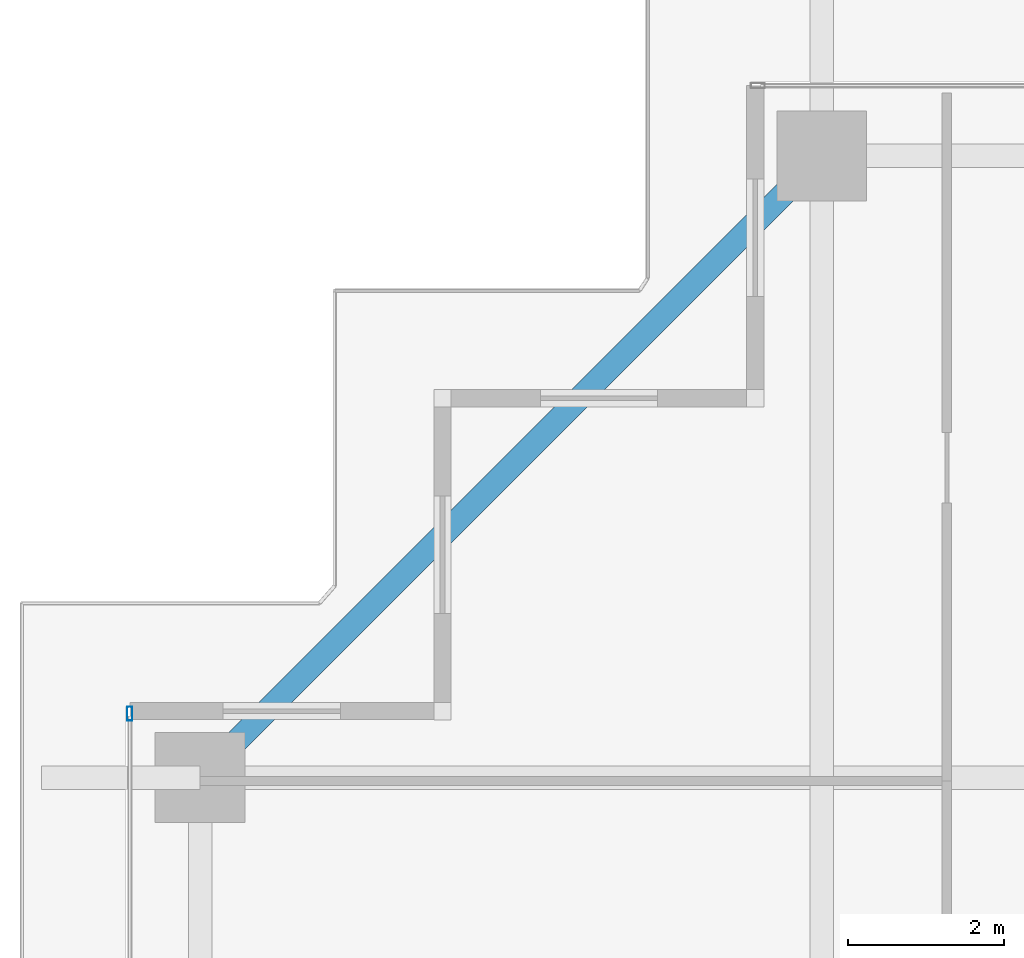
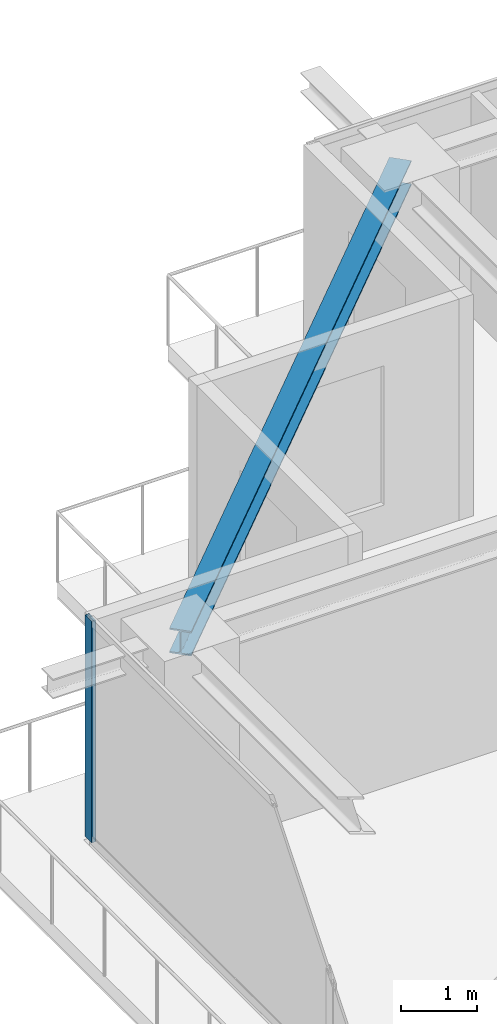
# One storey, part 18 of 37: 1 beam, 1 member, 1 element without a shape of its own.
"""IFC4 building model written with IfcOpenShell, lengths in metres."""

from ifc_helpers import new_model, si_unit, direction, frame, origin, origin_2d, place, context, subcontext, project, spatial, hollow_rectangle, i_section, extrude, source, transform, mapped, material, layer, layer_set, material_profile, profile_set, type_object, element, aggregate, save


model = new_model("IFC4")

# Units and contexts
model_context = context("Model", 3, precision=1e-05, world=origin(), true_north=direction((0.0, 1.0)))
body_context = subcontext(model_context, "Body", "Model", "MODEL_VIEW")
ifc_project = project(units=[si_unit("LENGTHUNIT", "METRE"), si_unit("AREAUNIT", "SQUARE_METRE"), si_unit("VOLUMEUNIT", "CUBIC_METRE"), si_unit("PLANEANGLEUNIT", "RADIAN"), si_unit("MASSUNIT", "GRAM", prefix="KILO")], contexts=[model_context])

# Site, building, storey
site_placement = place(None, origin())
site = spatial("IfcSite", under=ifc_project, at=site_placement, CompositionType="ELEMENT")
building_placement = place(site_placement, origin())
building = spatial("IfcBuilding", under=site, at=building_placement, Name="Serunith Strait Residences", CompositionType="ELEMENT")
storey_placement = place(building_placement, frame((0.0, 0.0, 275.89990234375)))
storey = spatial("IfcBuildingStorey", under=building, at=storey_placement, Name="L69", CompositionType="ELEMENT", Elevation=275.89990234375)

# Beam
ifc_material_1 = material(Name="Steel S355J2", Category="steel")
ifc_material_profile_1 = material_profile(ifc_material_1, i_section(OverallWidth=0.300048828125, OverallDepth=0.39990234375, WebThickness=0.013427734375, FlangeThickness=0.02392578125, FilletRadius=0.027099609375, at=origin_2d()), Name="HEB 400")
ifc_profile_set_1 = profile_set([ifc_material_profile_1], Name="Steel S355J2")
beam_type = type_object("IfcBeamType", Name="BM-HEB400", PredefinedType="BEAM", material=ifc_profile_set_1)
shared_shape_1 = source(origin(), body_context, "Body", "SweptSolid", [
    extrude(i_section(OverallWidth=0.300048828125, OverallDepth=0.39990234375, WebThickness=0.013427734375, FlangeThickness=0.02392578125, FilletRadius=0.027099609375, at=origin_2d()), origin(), (0.0, 0.0, 1.0), 11.242919921875),
])
beam_placement = place(storey_placement, frame((16.25, 48.300048828125, 3.357177734375), z_axis=(-0.707106781187, -0.707106781187, 0.0), x_axis=(0.707106781187, -0.707106781187, 0.0)))
element("IfcBeam", 1, at=beam_placement, inside=storey, type_object=beam_type, Name="L69 Perimeter Ring Beam 12", PredefinedType="BEAM", context=body_context, shape_type="MappedRepresentation", body=[
    mapped(shared_shape_1, transform((0.0, 0.0, 0.0), scale=1.0)),
])

# Curtain wall, member
ifc_material_2 = material(Name="Pale-Champagne Anodised Aluminium", Category="aluminium")
ifc_layer = layer(ifc_material_2, 0.199951171875, Name="Pale-Champagne Anodised Aluminium")
ifc_layer_set = layer_set([ifc_layer], Name="Pale-Champagne Anodised Aluminium")
curtain_wall_type = type_object("IfcCurtainWallType", Name="CW-SYS4", PredefinedType="NOTDEFINED", material=ifc_layer_set)
curtain_wall_placement = place(storey_placement, origin())
curtain_wall = element("IfcCurtainWall", 2, at=curtain_wall_placement, inside=storey, type_object=curtain_wall_type, Name="L69 W Unitised Fritted Curtain Wall", PredefinedType="NOTDEFINED")
ifc_material_profile_2 = material_profile(ifc_material_2, hollow_rectangle(XDim=0.06494140625, YDim=0.179931640625, WallThickness=0.00341796875, InnerFilletRadius=0.00537109375, OuterFilletRadius=0.0087890625, at=origin_2d()), Name="ALU 180x65x3.5")
ifc_profile_set_2 = profile_set([ifc_material_profile_2], Name="Pale-Champagne Anodised Aluminium")
member_type = type_object("IfcMemberType", Name="CW-SYS4-MULL", PredefinedType="MULLION", material=ifc_profile_set_2)
shared_shape_2 = source(origin(), body_context, "Body", "SweptSolid", [
    extrude(hollow_rectangle(XDim=0.06494140625, YDim=0.179931640625, WallThickness=0.00341796875, InnerFilletRadius=0.00537109375, OuterFilletRadius=0.0087890625, at=origin_2d()), origin(), (0.0, 0.0, 1.0), 3.5751953125),
])
member_placement = place(storey_placement, frame((7.39990234375, 41.16748046875, 0.0), z_axis=(0.0, 0.0, 1.0), x_axis=(1.0, 0.0, 0.0)))
member = element("IfcMember", 3, at=member_placement, type_object=member_type, Name="CW-4 mullion 1", PredefinedType="MULLION", context=body_context, shape_type="MappedRepresentation", body=[
    mapped(shared_shape_2, transform((0.0, 0.0, 0.0), scale=1.0)),
])
aggregate(curtain_wall, [member])

save(model, "model.ifc")
